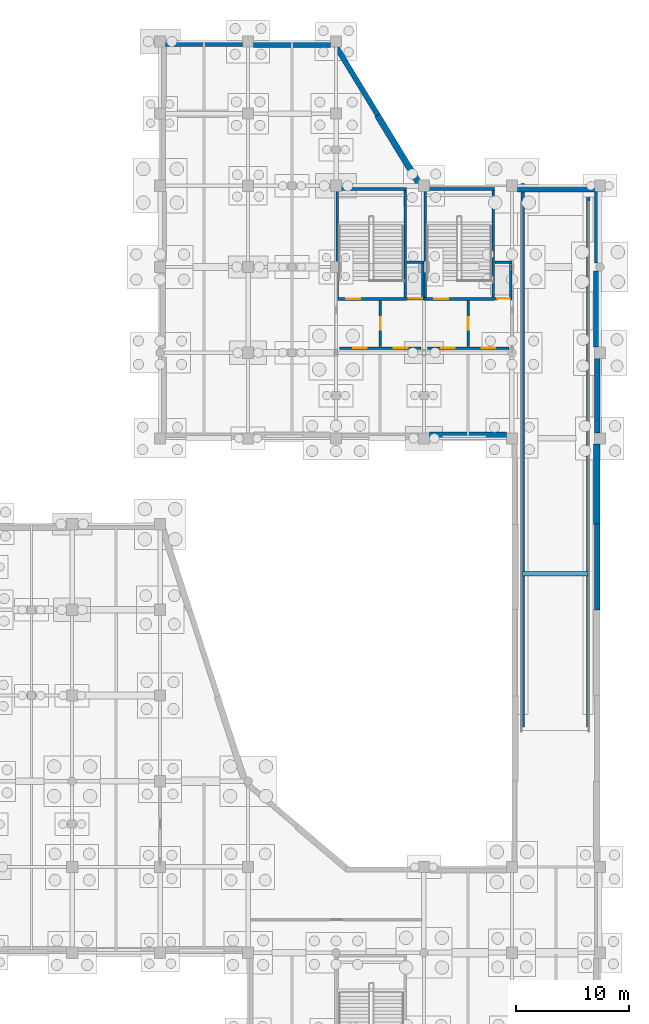
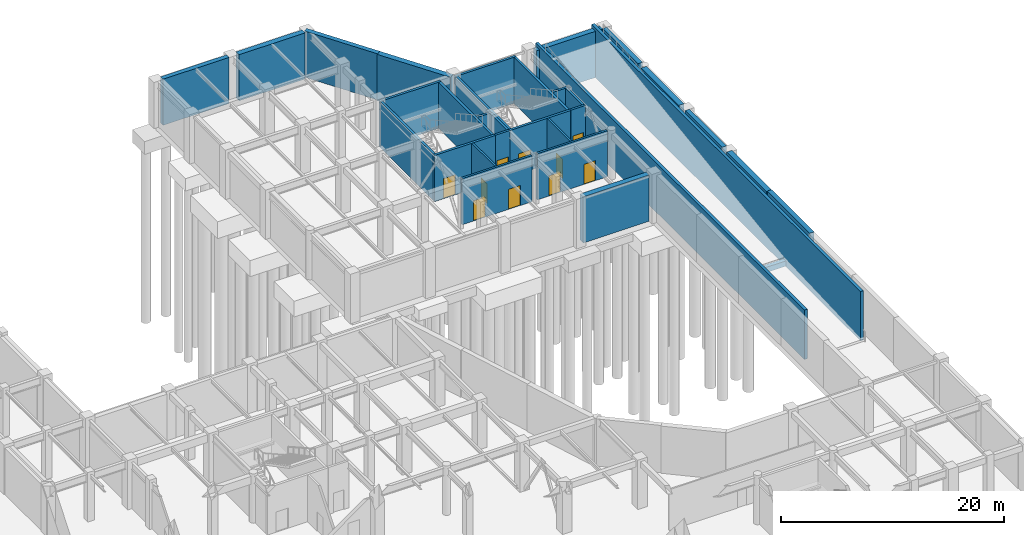
# One storey, part 46 of 52: 32 walls, 10 doors, 10 openings.
"""IFC4 building model written with IfcOpenShell, lengths in metres."""

from ifc_helpers import new_model, si_unit, direction, frame, frame_2d, origin, place, context, subcontext, project, spatial, rectangle, extrude, material, layer, layer_set, type_object, element, fill, save


model = new_model("IFC4")

# Units and contexts
model_context = context("Model", 3, precision=1e-05, world=origin(), true_north=direction((0.0, 1.0)))
body_context = subcontext(model_context, "Body", "Model", "MODEL_VIEW")
ifc_project = project(units=[si_unit("LENGTHUNIT", "METRE"), si_unit("AREAUNIT", "SQUARE_METRE"), si_unit("VOLUMEUNIT", "CUBIC_METRE"), si_unit("PLANEANGLEUNIT", "RADIAN"), si_unit("MASSUNIT", "GRAM", prefix="KILO")], contexts=[model_context])

# Site, building, storey
site_placement = place(None, origin())
site = spatial("IfcSite", under=ifc_project, at=site_placement, CompositionType="ELEMENT")
building_placement = place(site_placement, origin())
building = spatial("IfcBuilding", under=site, at=building_placement, Name="Xicomal Pleat Aquarium", CompositionType="ELEMENT")
storey_placement = place(building_placement, frame((0.0, 0.0, -5.39990234375)))
storey = spatial("IfcBuildingStorey", under=building, at=storey_placement, Name="B1", CompositionType="ELEMENT", Elevation=-5.39990234375)

# Wall, opening, door
ifc_material_1 = material(Name="Concrete C40/50", Category="concrete")
ifc_layer_1 = layer(ifc_material_1, 0.219970703125)
ifc_layer_set_1 = layer_set([ifc_layer_1], Name="Concrete C40/50")
wall_type_1 = type_object("IfcWallType", Name="WAL-COR-220", PredefinedType="SHEAR", material=ifc_layer_set_1)
wall_1_placement = place(storey_placement, frame((147.89990234375, 88.389892578125, 0.0), z_axis=(0.0, 0.0, 1.0), x_axis=(1.0, 0.0, 0.0)))
wall_1 = element("IfcWall", 1, at=wall_1_placement, inside=storey, type_object=wall_type_1, Name="B1 LF-05 lift shaft wall CW-B1-C5-LS", PredefinedType="SHEAR", context=body_context, shape_type="SweptSolid", body=[
    extrude(rectangle(XDim=1.489990234375, YDim=0.219970703125, at=frame_2d((0.7451171875, 0.0))), origin(), (0.0, 0.0, 1.0), 5.0498046875),
])
opening_1_placement = place(wall_1_placement, frame((0.14501953125, 0.0, 0.0)))
opening_1 = element("IfcOpeningElement", 2, at=opening_1_placement, cuts=wall_1, Name="Opening LD-05-B1", PredefinedType="OPENING", context=body_context, shape_type="SweptSolid", body=[
    extrude(rectangle(XDim=1.199951171875, YDim=2.199951171875, at=frame_2d((0.60009765625, 1.10009765625))), frame((0.0, 0.119873046875, 0.0), z_axis=(0.0, -1.0, 0.0), x_axis=(1.0, 0.0, 0.0)), (0.0, 0.0, 1.0), 0.239990234375),
])
ifc_material_2 = material(Name="Brushed stainless steel 304", Category="steel")
door_type_1 = type_object("IfcDoorType", Name="DOR-LD-1200x2200", OperationType="DOUBLE_DOOR_SLIDING", PredefinedType="DOOR", material=ifc_material_2)
door_1_placement = place(opening_1_placement, origin())
door_1 = element("IfcDoor", 3, at=door_1_placement, inside=storey, type_object=door_type_1, Name="B1 LF-05 sliding lift landing door", OperationType="DOUBLE_DOOR_SLIDING", OverallHeight=2.199951171875, OverallWidth=1.199951171875, PredefinedType="DOOR", context=body_context, shape_type="SweptSolid", body=[
    extrude(rectangle(XDim=1.199951171875, YDim=2.199951171875, at=frame_2d((0.60009765625, 1.10009765625))), frame((0.0, 0.02490234375, 0.0), z_axis=(0.0, -1.0, 0.0), x_axis=(1.0, 0.0, 0.0)), (0.0, 0.0, 1.0), 0.050048828125),
])
fill(opening_1, door_1)

# Walls
wall_2_placement = place(storey_placement, frame((147.89990234375, 91.610107421875, 0.0), z_axis=(0.0, 0.0, 1.0), x_axis=(1.0, 0.0, 0.0)))
element("IfcWall", 4, at=wall_2_placement, inside=storey, type_object=wall_type_1, Name="B1 LF-05 lift shaft wall CW-B1-C5-LN", PredefinedType="SHEAR", context=body_context, shape_type="SweptSolid", body=[
    extrude(rectangle(XDim=1.489990234375, YDim=0.219970703125, at=frame_2d((0.7451171875, 0.0))), origin(), (0.0, 0.0, 1.0), 5.0498046875),
])
wall_3_placement = place(storey_placement, frame((149.31005859375, 88.5, 0.0), z_axis=(0.0, 0.0, 1.0), x_axis=(0.0, 1.0, 0.0)))
element("IfcWall", 5, at=wall_3_placement, inside=storey, type_object=wall_type_1, Name="B1 LF-05 lift shaft wall CW-B1-C5-LE", PredefinedType="SHEAR", context=body_context, shape_type="SweptSolid", body=[
    extrude(rectangle(XDim=3.0, YDim=0.219970703125, at=frame_2d((1.5, 0.0))), origin(), (0.0, 0.0, 1.0), 5.0498046875),
])

# Wall, opening, door
wall_4_placement = place(storey_placement, frame((155.699951171875, 88.389892578125, 0.0), z_axis=(0.0, 0.0, 1.0), x_axis=(1.0, 0.0, 0.0)))
wall_4 = element("IfcWall", 6, at=wall_4_placement, inside=storey, type_object=wall_type_1, Name="B1 LF-06 lift shaft wall CW-B1-C6-LS", PredefinedType="SHEAR", context=body_context, shape_type="SweptSolid", body=[
    extrude(rectangle(XDim=1.52001953125, YDim=0.219970703125, at=frame_2d((0.760009765625, 0.0))), origin(), (0.0, 0.0, 1.0), 5.0498046875),
])
opening_2_placement = place(wall_4_placement, frame((0.2099609375, 0.0, 0.0)))
opening_2 = element("IfcOpeningElement", 7, at=opening_2_placement, cuts=wall_4, Name="Opening LD-06-B1", PredefinedType="OPENING", context=body_context, shape_type="SweptSolid", body=[
    extrude(rectangle(XDim=1.10009765625, YDim=2.14990234375, at=frame_2d((0.550048828125, 1.074951171875))), frame((0.0, 0.119873046875, 0.0), z_axis=(0.0, -1.0, 0.0), x_axis=(1.0, 0.0, 0.0)), (0.0, 0.0, 1.0), 0.239990234375),
])
ifc_material_3 = material(Name="Brushed stainless steel 304", Category="steel")
door_type_2 = type_object("IfcDoorType", Name="DOR-LD-1100x2150", OperationType="DOUBLE_DOOR_SLIDING", PredefinedType="DOOR", material=ifc_material_3)
door_2_placement = place(opening_2_placement, origin())
door_2 = element("IfcDoor", 8, at=door_2_placement, inside=storey, type_object=door_type_2, Name="B1 LF-06 sliding lift landing door", OperationType="DOUBLE_DOOR_SLIDING", OverallHeight=2.14990234375, OverallWidth=1.10009765625, PredefinedType="DOOR", context=body_context, shape_type="SweptSolid", body=[
    extrude(rectangle(XDim=1.10009765625, YDim=2.14990234375, at=frame_2d((0.550048828125, 1.074951171875))), frame((0.0, 0.02490234375, 0.0), z_axis=(0.0, -1.0, 0.0), x_axis=(1.0, 0.0, 0.0)), (0.0, 0.0, 1.0), 0.050048828125),
])
fill(opening_2, door_2)

# Walls
wall_5_placement = place(storey_placement, frame((155.699951171875, 91.610107421875, 0.0), z_axis=(0.0, 0.0, 1.0), x_axis=(1.0, 0.0, 0.0)))
element("IfcWall", 9, at=wall_5_placement, inside=storey, type_object=wall_type_1, Name="B1 LF-06 lift shaft wall CW-B1-C6-LN", PredefinedType="SHEAR", context=body_context, shape_type="SweptSolid", body=[
    extrude(rectangle(XDim=1.52001953125, YDim=0.219970703125, at=frame_2d((0.760009765625, 0.0))), origin(), (0.0, 0.0, 1.0), 5.0498046875),
])
wall_6_placement = place(storey_placement, frame((157.110107421875, 88.5, 0.0), z_axis=(0.0, 0.0, 1.0), x_axis=(0.0, 1.0, 0.0)))
element("IfcWall", 10, at=wall_6_placement, inside=storey, type_object=wall_type_1, Name="B1 LF-06 lift shaft wall CW-B1-C6-LE", PredefinedType="SHEAR", context=body_context, shape_type="SweptSolid", body=[
    extrude(rectangle(XDim=3.0, YDim=0.219970703125, at=frame_2d((1.5, 0.0))), origin(), (0.0, 0.0, 1.0), 5.0498046875),
])

# Wall, opening, door
ifc_material_4 = material(Name="Concrete C40/50", Category="concrete")
ifc_layer_2 = layer(ifc_material_4, 0.25)
ifc_layer_set_2 = layer_set([ifc_layer_2], Name="Concrete C40/50")
wall_type_2 = type_object("IfcWallType", Name="WAL-COR-250", PredefinedType="SHEAR", material=ifc_layer_set_2)
wall_7_placement = place(storey_placement, frame((141.590087890625, 88.375, 0.0), z_axis=(0.0, 0.0, 1.0), x_axis=(1.0, 0.0, 0.0)))
wall_7 = element("IfcWall", 11, at=wall_7_placement, inside=storey, type_object=wall_type_2, Name="B1 CORE-5 stair shear wall CW-B1-C5-SS", PredefinedType="SHEAR", context=body_context, shape_type="SweptSolid", body=[
    extrude(rectangle(XDim=6.280029296875, YDim=0.25, at=frame_2d((3.14013671875, 0.0))), origin(), (0.0, 0.0, 1.0), 5.0498046875),
])
opening_3_placement = place(wall_7_placement, frame((0.89990234375, 0.0, 0.0)))
opening_3 = element("IfcOpeningElement", 12, at=opening_3_placement, cuts=wall_7, Name="Opening SD-05-B1", PredefinedType="OPENING", context=body_context, shape_type="SweptSolid", body=[
    extrude(rectangle(XDim=1.25, YDim=2.199951171875, at=frame_2d((0.625, 1.10009765625))), frame((0.0, 0.135009765625, 0.0), z_axis=(0.0, -1.0, 0.0), x_axis=(1.0, 0.0, 0.0)), (0.0, 0.0, 1.0), 0.27001953125),
])
ifc_material_5 = material(Name="Powder-coated steel fire door", Category="steel")
door_type_3 = type_object("IfcDoorType", Name="DOR-ST-1250x2200", OperationType="NOTDEFINED", PredefinedType="DOOR", material=ifc_material_5)
door_3_placement = place(opening_3_placement, origin())
door_3 = element("IfcDoor", 13, at=door_3_placement, inside=storey, type_object=door_type_3, Name="B1 ST-05 protected stair door", OperationType="SINGLE_SWING_LEFT", OverallHeight=2.199951171875, OverallWidth=1.25, PredefinedType="DOOR", context=body_context, shape_type="SweptSolid", body=[
    extrude(rectangle(XDim=1.25, YDim=2.199951171875, at=frame_2d((0.625, 1.10009765625))), frame((0.0, 0.02490234375, 0.0), z_axis=(0.0, -1.0, 0.0), x_axis=(1.0, 0.0, 0.0)), (0.0, 0.0, 1.0), 0.050048828125),
])
fill(opening_3, door_3)

# Walls
wall_8_placement = place(storey_placement, frame((141.590087890625, 98.125, 0.0), z_axis=(0.0, 0.0, 1.0), x_axis=(1.0, 0.0, 0.0)))
element("IfcWall", 14, at=wall_8_placement, inside=storey, type_object=wall_type_2, Name="B1 CORE-5 stair shear wall CW-B1-C5-SN", PredefinedType="SHEAR", context=body_context, shape_type="SweptSolid", body=[
    extrude(rectangle(XDim=6.280029296875, YDim=0.25, at=frame_2d((3.14013671875, 0.0))), origin(), (0.0, 0.0, 1.0), 5.0498046875),
])
for number, where, z_axis, x_axis, name in (
    (15, (141.715087890625, 88.5, 0.0), (0.0, 0.0, 1.0), (0.0, 1.0, 0.0), "B1 CORE-5 stair shear wall CW-B1-C5-SW"),
    (16, (147.7451171875, 88.5, 0.0), (0.0, 0.0, 1.0), (0.0, 1.0, 0.0), "B1 CORE-5 stair shear wall CW-B1-C5-SE"),
):
    element("IfcWall", number, at=place(storey_placement, frame(where, z_axis=z_axis, x_axis=x_axis)), inside=storey, type_object=wall_type_2, Name=name, PredefinedType="SHEAR", context=body_context, shape_type="SweptSolid", body=[
        extrude(rectangle(XDim=9.5, YDim=0.25, at=frame_2d((4.75, 0.0))), origin(), (0.0, 0.0, 1.0), 5.0498046875),
    ])

# Wall, opening, door
wall_9_placement = place(storey_placement, frame((149.389892578125, 88.375, 0.0), z_axis=(0.0, 0.0, 1.0), x_axis=(1.0, 0.0, 0.0)))
wall_9 = element("IfcWall", 17, at=wall_9_placement, inside=storey, type_object=wall_type_2, Name="B1 CORE-6 stair shear wall CW-B1-C6-SS", PredefinedType="SHEAR", context=body_context, shape_type="SweptSolid", body=[
    extrude(rectangle(XDim=6.280029296875, YDim=0.25, at=frame_2d((3.14013671875, 0.0))), origin(), (0.0, 0.0, 1.0), 5.0498046875),
])
opening_4_placement = place(wall_9_placement, frame((0.89990234375, 0.0, 0.0)))
opening_4 = element("IfcOpeningElement", 18, at=opening_4_placement, cuts=wall_9, Name="Opening SD-06-B1", PredefinedType="OPENING", context=body_context, shape_type="SweptSolid", body=[
    extrude(rectangle(XDim=1.25, YDim=2.199951171875, at=frame_2d((0.625, 1.10009765625))), frame((0.0, 0.135009765625, 0.0), z_axis=(0.0, -1.0, 0.0), x_axis=(1.0, 0.0, 0.0)), (0.0, 0.0, 1.0), 0.27001953125),
])
door_4_placement = place(opening_4_placement, origin())
door_4 = element("IfcDoor", 19, at=door_4_placement, inside=storey, type_object=door_type_3, Name="B1 ST-06 protected stair door", OperationType="SINGLE_SWING_LEFT", OverallHeight=2.199951171875, OverallWidth=1.25, PredefinedType="DOOR", context=body_context, shape_type="SweptSolid", body=[
    extrude(rectangle(XDim=1.25, YDim=2.199951171875, at=frame_2d((0.625, 1.10009765625))), frame((0.0, 0.02490234375, 0.0), z_axis=(0.0, -1.0, 0.0), x_axis=(1.0, 0.0, 0.0)), (0.0, 0.0, 1.0), 0.050048828125),
])
fill(opening_4, door_4)

# Walls
wall_10_placement = place(storey_placement, frame((149.389892578125, 98.125, 0.0), z_axis=(0.0, 0.0, 1.0), x_axis=(1.0, 0.0, 0.0)))
element("IfcWall", 20, at=wall_10_placement, inside=storey, type_object=wall_type_2, Name="B1 CORE-6 stair shear wall CW-B1-C6-SN", PredefinedType="SHEAR", context=body_context, shape_type="SweptSolid", body=[
    extrude(rectangle(XDim=6.280029296875, YDim=0.25, at=frame_2d((3.14013671875, 0.0))), origin(), (0.0, 0.0, 1.0), 5.0498046875),
])
for number, where, z_axis, x_axis, name in (
    (21, (149.514892578125, 88.5, 0.0), (0.0, 0.0, 1.0), (0.0, 1.0, 0.0), "B1 CORE-6 stair shear wall CW-B1-C6-SW"),
    (22, (155.544921875, 88.5, 0.0), (0.0, 0.0, 1.0), (0.0, 1.0, 0.0), "B1 CORE-6 stair shear wall CW-B1-C6-SE"),
):
    element("IfcWall", number, at=place(storey_placement, frame(where, z_axis=z_axis, x_axis=x_axis)), inside=storey, type_object=wall_type_2, Name=name, PredefinedType="SHEAR", context=body_context, shape_type="SweptSolid", body=[
        extrude(rectangle(XDim=9.5, YDim=0.25, at=frame_2d((4.75, 0.0))), origin(), (0.0, 0.0, 1.0), 5.0498046875),
    ])

# Wall, opening, door
ifc_material_6 = material(Name="Acoustic double-stud drywall partition", Category="gypsum")
ifc_layer_3 = layer(ifc_material_6, 0.195068359375)
ifc_layer_set_3 = layer_set([ifc_layer_3], Name="Acoustic double-stud drywall partition")
wall_type_3 = type_object("IfcWallType", Name="WAL-PRT-195", PredefinedType="PARTITIONING", material=ifc_layer_set_3)
wall_11_placement = place(storey_placement, frame((145.52490234375, 84.14990234375, 0.0), z_axis=(0.0, 0.0, 1.0), x_axis=(0.0, 1.0, 0.0)))
wall_11 = element("IfcWall", 23, at=wall_11_placement, inside=storey, type_object=wall_type_3, Name="B1 firefighting lobby smoke divider 5", PredefinedType="PARTITIONING", context=body_context, shape_type="SweptSolid", body=[
    extrude(rectangle(XDim=4.10009765625, YDim=0.195068359375, at=frame_2d((2.050048828125, 0.0))), origin(), (0.0, 0.0, 1.0), 5.0498046875),
])
opening_5_placement = place(wall_11_placement, frame((1.5, 0.0, 0.0)))
opening_5 = element("IfcOpeningElement", 24, at=opening_5_placement, cuts=wall_11, Name="Opening FD-05C-B1", PredefinedType="OPENING", context=body_context, shape_type="SweptSolid", body=[
    extrude(rectangle(XDim=1.10009765625, YDim=2.14990234375, at=frame_2d((0.550048828125, 1.074951171875))), frame((0.0, 0.107421875, 0.0), z_axis=(0.0, -1.0, 0.0), x_axis=(1.0, 0.0, 0.0)), (0.0, 0.0, 1.0), 0.215087890625),
])
ifc_material_7 = material(Name="Powder-coated steel fire door", Category="steel")
door_type_4 = type_object("IfcDoorType", Name="DOR-LAB-1100x2150", OperationType="NOTDEFINED", PredefinedType="DOOR", material=ifc_material_7)
door_5_placement = place(opening_5_placement, origin())
door_5 = element("IfcDoor", 25, at=door_5_placement, inside=storey, type_object=door_type_4, Name="B1 lobby interconnecting fire door 5C", OperationType="SINGLE_SWING_LEFT", OverallHeight=2.14990234375, OverallWidth=1.10009765625, PredefinedType="DOOR", context=body_context, shape_type="SweptSolid", body=[
    extrude(rectangle(XDim=1.10009765625, YDim=2.14990234375, at=frame_2d((0.550048828125, 1.074951171875))), frame((0.0, 0.02490234375, 0.0), z_axis=(0.0, -1.0, 0.0), x_axis=(1.0, 0.0, 0.0)), (0.0, 0.0, 1.0), 0.050048828125),
])
fill(opening_5, door_5)

wall_12_placement = place(storey_placement, frame((153.324951171875, 84.14990234375, 0.0), z_axis=(0.0, 0.0, 1.0), x_axis=(0.0, 1.0, 0.0)))
wall_12 = element("IfcWall", 26, at=wall_12_placement, inside=storey, type_object=wall_type_3, Name="B1 firefighting lobby smoke divider 6", PredefinedType="PARTITIONING", context=body_context, shape_type="SweptSolid", body=[
    extrude(rectangle(XDim=4.10009765625, YDim=0.195068359375, at=frame_2d((2.050048828125, 0.0))), origin(), (0.0, 0.0, 1.0), 5.0498046875),
])
opening_6_placement = place(wall_12_placement, frame((1.5, 0.0, 0.0)))
opening_6 = element("IfcOpeningElement", 27, at=opening_6_placement, cuts=wall_12, Name="Opening FD-06C-B1", PredefinedType="OPENING", context=body_context, shape_type="SweptSolid", body=[
    extrude(rectangle(XDim=1.10009765625, YDim=2.14990234375, at=frame_2d((0.550048828125, 1.074951171875))), frame((0.0, 0.107421875, 0.0), z_axis=(0.0, -1.0, 0.0), x_axis=(1.0, 0.0, 0.0)), (0.0, 0.0, 1.0), 0.215087890625),
])
door_6_placement = place(opening_6_placement, origin())
door_6 = element("IfcDoor", 28, at=door_6_placement, inside=storey, type_object=door_type_4, Name="B1 lobby interconnecting fire door 6C", OperationType="SINGLE_SWING_LEFT", OverallHeight=2.14990234375, OverallWidth=1.10009765625, PredefinedType="DOOR", context=body_context, shape_type="SweptSolid", body=[
    extrude(rectangle(XDim=1.10009765625, YDim=2.14990234375, at=frame_2d((0.550048828125, 1.074951171875))), frame((0.0, 0.02490234375, 0.0), z_axis=(0.0, -1.0, 0.0), x_axis=(1.0, 0.0, 0.0)), (0.0, 0.0, 1.0), 0.050048828125),
])
fill(opening_6, door_6)

# Wall, openings, doors
ifc_material_8 = material(Name="Fire-rated gypsum and mineral-wool partition", Category="gypsum")
ifc_layer_4 = layer(ifc_material_8, 0.2099609375)
ifc_layer_set_4 = layer_set([ifc_layer_4], Name="Fire-rated gypsum and mineral-wool partition")
wall_type_4 = type_object("IfcWallType", Name="WAL-PRT-210", PredefinedType="PARTITIONING", material=ifc_layer_set_4)
wall_13_placement = place(storey_placement, frame((141.89990234375, 84.0, 0.0), z_axis=(0.0, 0.0, 1.0), x_axis=(1.0, 0.0, 0.0)))
wall_13 = element("IfcWall", 29, at=wall_13_placement, inside=storey, type_object=wall_type_4, Name="B1 CORE-5 lobby fire enclosure wall", PredefinedType="PARTITIONING", context=body_context, shape_type="SweptSolid", body=[
    extrude(rectangle(XDim=7.25, YDim=0.2099609375, at=frame_2d((3.625, 0.0))), origin(), (0.0, 0.0, 1.0), 5.0498046875),
])
opening_7_placement = place(wall_13_placement, frame((1.2119140625, 0.0, 0.0)))
opening_7 = element("IfcOpeningElement", 30, at=opening_7_placement, cuts=wall_13, Name="Opening FD-05A-B1", PredefinedType="OPENING", context=body_context, shape_type="SweptSolid", body=[
    extrude(rectangle(XDim=1.199951171875, YDim=2.199951171875, at=frame_2d((0.60009765625, 1.10009765625))), frame((0.0, 0.114990234375, 0.0), z_axis=(0.0, -1.0, 0.0), x_axis=(1.0, 0.0, 0.0)), (0.0, 0.0, 1.0), 0.22998046875),
])
opening_8_placement = place(wall_13_placement, frame((4.837890625, 0.0, 0.0)))
opening_8 = element("IfcOpeningElement", 31, at=opening_8_placement, cuts=wall_13, Name="Opening FD-05B-B1", PredefinedType="OPENING", context=body_context, shape_type="SweptSolid", body=[
    extrude(rectangle(XDim=1.199951171875, YDim=2.199951171875, at=frame_2d((0.60009765625, 1.10009765625))), frame((0.0, 0.114990234375, 0.0), z_axis=(0.0, -1.0, 0.0), x_axis=(1.0, 0.0, 0.0)), (0.0, 0.0, 1.0), 0.22998046875),
])
ifc_material_9 = material(Name="Powder-coated steel fire door", Category="steel")
door_type_5 = type_object("IfcDoorType", Name="DOR-FFL-1200x2200", OperationType="NOTDEFINED", PredefinedType="DOOR", material=ifc_material_9)
door_7_placement = place(opening_7_placement, origin())
door_7 = element("IfcDoor", 32, at=door_7_placement, inside=storey, type_object=door_type_5, Name="B1 firefighting lobby door 5A", OperationType="SINGLE_SWING_LEFT", OverallHeight=2.199951171875, OverallWidth=1.199951171875, PredefinedType="DOOR", context=body_context, shape_type="SweptSolid", body=[
    extrude(rectangle(XDim=1.199951171875, YDim=2.199951171875, at=frame_2d((0.60009765625, 1.10009765625))), frame((0.0, 0.02490234375, 0.0), z_axis=(0.0, -1.0, 0.0), x_axis=(1.0, 0.0, 0.0)), (0.0, 0.0, 1.0), 0.050048828125),
])
fill(opening_7, door_7)
door_8_placement = place(opening_8_placement, origin())
door_8 = element("IfcDoor", 33, at=door_8_placement, inside=storey, type_object=door_type_5, Name="B1 lift lobby door 5B", OperationType="SINGLE_SWING_RIGHT", OverallHeight=2.199951171875, OverallWidth=1.199951171875, PredefinedType="DOOR", context=body_context, shape_type="SweptSolid", body=[
    extrude(rectangle(XDim=1.199951171875, YDim=2.199951171875, at=frame_2d((0.60009765625, 1.10009765625))), frame((0.0, 0.02490234375, 0.0), z_axis=(0.0, -1.0, 0.0), x_axis=(1.0, 0.0, 0.0)), (0.0, 0.0, 1.0), 0.050048828125),
])
fill(opening_8, door_8)

wall_14_placement = place(storey_placement, frame((149.699951171875, 84.0, 0.0), z_axis=(0.0, 0.0, 1.0), x_axis=(1.0, 0.0, 0.0)))
wall_14 = element("IfcWall", 34, at=wall_14_placement, inside=storey, type_object=wall_type_4, Name="B1 CORE-6 lobby fire enclosure wall", PredefinedType="PARTITIONING", context=body_context, shape_type="SweptSolid", body=[
    extrude(rectangle(XDim=7.25, YDim=0.2099609375, at=frame_2d((3.625, 0.0))), origin(), (0.0, 0.0, 1.0), 5.0498046875),
])
opening_9_placement = place(wall_14_placement, frame((1.2119140625, 0.0, 0.0)))
opening_9 = element("IfcOpeningElement", 35, at=opening_9_placement, cuts=wall_14, Name="Opening FD-06A-B1", PredefinedType="OPENING", context=body_context, shape_type="SweptSolid", body=[
    extrude(rectangle(XDim=1.199951171875, YDim=2.199951171875, at=frame_2d((0.60009765625, 1.10009765625))), frame((0.0, 0.114990234375, 0.0), z_axis=(0.0, -1.0, 0.0), x_axis=(1.0, 0.0, 0.0)), (0.0, 0.0, 1.0), 0.22998046875),
])
opening_10_placement = place(wall_14_placement, frame((4.837890625, 0.0, 0.0)))
opening_10 = element("IfcOpeningElement", 36, at=opening_10_placement, cuts=wall_14, Name="Opening FD-06B-B1", PredefinedType="OPENING", context=body_context, shape_type="SweptSolid", body=[
    extrude(rectangle(XDim=1.199951171875, YDim=2.199951171875, at=frame_2d((0.60009765625, 1.10009765625))), frame((0.0, 0.114990234375, 0.0), z_axis=(0.0, -1.0, 0.0), x_axis=(1.0, 0.0, 0.0)), (0.0, 0.0, 1.0), 0.22998046875),
])
door_9_placement = place(opening_9_placement, origin())
door_9 = element("IfcDoor", 37, at=door_9_placement, inside=storey, type_object=door_type_5, Name="B1 firefighting lobby door 6A", OperationType="SINGLE_SWING_LEFT", OverallHeight=2.199951171875, OverallWidth=1.199951171875, PredefinedType="DOOR", context=body_context, shape_type="SweptSolid", body=[
    extrude(rectangle(XDim=1.199951171875, YDim=2.199951171875, at=frame_2d((0.60009765625, 1.10009765625))), frame((0.0, 0.02490234375, 0.0), z_axis=(0.0, -1.0, 0.0), x_axis=(1.0, 0.0, 0.0)), (0.0, 0.0, 1.0), 0.050048828125),
])
fill(opening_9, door_9)
door_10_placement = place(opening_10_placement, origin())
door_10 = element("IfcDoor", 38, at=door_10_placement, inside=storey, type_object=door_type_5, Name="B1 lift lobby door 6B", OperationType="SINGLE_SWING_RIGHT", OverallHeight=2.199951171875, OverallWidth=1.199951171875, PredefinedType="DOOR", context=body_context, shape_type="SweptSolid", body=[
    extrude(rectangle(XDim=1.199951171875, YDim=2.199951171875, at=frame_2d((0.60009765625, 1.10009765625))), frame((0.0, 0.02490234375, 0.0), z_axis=(0.0, -1.0, 0.0), x_axis=(1.0, 0.0, 0.0)), (0.0, 0.0, 1.0), 0.050048828125),
])
fill(opening_10, door_10)

# Walls
ifc_material_10 = material(Name="Waterproof concrete C40/50", Category="concrete")
ifc_layer_5 = layer(ifc_material_10, 0.4599609375)
ifc_layer_set_5 = layer_set([ifc_layer_5], Name="Waterproof concrete C40/50")
wall_type_5 = type_object("IfcWallType", Name="WAL-RET-460", PredefinedType="USERDEFINED", material=ifc_layer_set_5)
wall_15_placement = place(storey_placement, frame((126.485107421875, 110.969970703125, 0.0), z_axis=(0.0, 0.0, 1.0), x_axis=(1.0, 0.0, 0.0)))
element("IfcWall", 39, at=wall_15_placement, inside=storey, type_object=wall_type_5, Name="Basement waterproof retaining wall RW-B1-019", ObjectType="RETAINING WALL", PredefinedType="USERDEFINED", context=body_context, shape_type="SweptSolid", body=[
    extrude(rectangle(XDim=6.829833984375, YDim=0.4599609375, at=frame_2d((3.4150390625, 0.0))), origin(), (0.0, 0.0, 1.0), 5.0498046875),
])
wall_16_placement = place(storey_placement, frame((141.404052734375, 111.080078125, 0.0), z_axis=(0.0, 0.0, 1.0), x_axis=(0.520351985805, -0.853951878544, 0.0)))
element("IfcWall", 40, at=wall_16_placement, inside=storey, type_object=wall_type_5, Name="Basement waterproof retaining wall RW-B1-021", ObjectType="RETAINING WALL", PredefinedType="USERDEFINED", context=body_context, shape_type="SweptSolid", body=[
    extrude(rectangle(XDim=7.49462890625, YDim=0.4599609375, at=frame_2d((3.747314453125, 0.0))), origin(), (0.0, 0.0, 1.0), 5.0498046875),
])
wall_17_placement = place(storey_placement, frame((164.77001953125, 97.9150390625, 0.0), z_axis=(0.0, 0.0, 1.0), x_axis=(0.0, -1.0, 0.0)))
element("IfcWall", 41, at=wall_17_placement, inside=storey, type_object=wall_type_5, Name="Basement waterproof retaining wall RW-B1-025", ObjectType="RETAINING WALL", PredefinedType="USERDEFINED", context=body_context, shape_type="SweptSolid", body=[
    extrude(rectangle(XDim=6.35498046875, YDim=0.4599609375, at=frame_2d((3.177490234375, 0.0))), origin(), (0.0, 0.0, 1.0), 5.0498046875),
])
wall_18_placement = place(storey_placement, frame((164.77001953125, 83.114990234375, 0.0), z_axis=(0.0, 0.0, 1.0), x_axis=(0.0, -1.0, 0.0)))
element("IfcWall", 42, at=wall_18_placement, inside=storey, type_object=wall_type_5, Name="Basement waterproof retaining wall RW-B1-027", ObjectType="RETAINING WALL", PredefinedType="USERDEFINED", context=body_context, shape_type="SweptSolid", body=[
    extrude(rectangle(XDim=6.6298828125, YDim=0.4599609375, at=frame_2d((3.31494140625, 0.0))), origin(), (0.0, 0.0, 1.0), 5.0498046875),
])
wall_19_placement = place(storey_placement, frame((164.77001953125, 68.419921875, 0.0), z_axis=(0.0, 0.0, 1.0), x_axis=(0.0, -1.0, 0.0)))
element("IfcWall", 43, at=wall_19_placement, inside=storey, type_object=wall_type_5, Name="Basement waterproof retaining wall RW-B1-029", ObjectType="RETAINING WALL", PredefinedType="USERDEFINED", context=body_context, shape_type="SweptSolid", body=[
    extrude(rectangle(XDim=7.639892578125, YDim=0.4599609375, at=frame_2d((3.81982421875, 0.0))), origin(), (0.0, 0.0, 1.0), 5.159912109375),
])
ifc_material_11 = material(Name="Waterproof concrete C40/50", Category="concrete")
ifc_layer_6 = layer(ifc_material_11, 0.550048828125)
ifc_layer_set_6 = layer_set([ifc_layer_6], Name="Waterproof concrete C40/50")
wall_type_6 = type_object("IfcWallType", Name="WAL-RET-550", PredefinedType="USERDEFINED", material=ifc_layer_set_6)
for number, where, z_axis, x_axis, name in (
    (44, (156.715087890625, 76.27490234375, 0.0), (0.0, 0.0, 1.0), (-1.0, 0.0, 0.0), "Basement waterproof retaining wall RW-B1-010"),
    (45, (134.284912109375, 110.925048828125, 0.0), (0.0, 0.0, 1.0), (1.0, 0.0, 0.0), "Basement waterproof retaining wall RW-B1-020"),
):
    element("IfcWall", number, at=place(storey_placement, frame(where, z_axis=z_axis, x_axis=x_axis)), inside=storey, type_object=wall_type_6, Name=name, ObjectType="RETAINING WALL", PredefinedType="USERDEFINED", context=body_context, shape_type="SweptSolid", body=[
        extrude(rectangle(XDim=6.830078125, YDim=0.550048828125, at=frame_2d((3.4150390625, 0.0))), origin(), (0.0, 0.0, 1.0), 5.0498046875),
    ])
wall_20_placement = place(storey_placement, frame((145.264892578125, 104.656982421875, 0.0), z_axis=(0.0, 0.0, 1.0), x_axis=(0.520390215294, -0.853928582392, 0.0)))
element("IfcWall", 46, at=wall_20_placement, inside=storey, type_object=wall_type_6, Name="Basement waterproof retaining wall RW-B1-022", ObjectType="RETAINING WALL", PredefinedType="USERDEFINED", context=body_context, shape_type="SweptSolid", body=[
    extrude(rectangle(XDim=7.49462890625, YDim=0.550048828125, at=frame_2d((3.747314453125, 0.0))), origin(), (0.0, 0.0, 1.0), 5.0498046875),
])
wall_21_placement = place(storey_placement, frame((157.68505859375, 98.125, 0.0), z_axis=(0.0, 0.0, 1.0), x_axis=(1.0, 0.0, 0.0)))
element("IfcWall", 47, at=wall_21_placement, inside=storey, type_object=wall_type_6, Name="Basement waterproof retaining wall RW-B1-024", ObjectType="RETAINING WALL", PredefinedType="USERDEFINED", context=body_context, shape_type="SweptSolid", body=[
    extrude(rectangle(XDim=6.829833984375, YDim=0.550048828125, at=frame_2d((3.4150390625, 0.0))), origin(), (0.0, 0.0, 1.0), 5.0498046875),
])
wall_22_placement = place(storey_placement, frame((164.72509765625, 90.840087890625, 0.0), z_axis=(0.0, 0.0, 1.0), x_axis=(0.0, -1.0, 0.0)))
element("IfcWall", 48, at=wall_22_placement, inside=storey, type_object=wall_type_6, Name="Basement waterproof retaining wall RW-B1-026", ObjectType="RETAINING WALL", PredefinedType="USERDEFINED", context=body_context, shape_type="SweptSolid", body=[
    extrude(rectangle(XDim=6.755126953125, YDim=0.550048828125, at=frame_2d((3.37744140625, 0.0))), origin(), (0.0, 0.0, 1.0), 5.0498046875),
])
wall_23_placement = place(storey_placement, frame((164.72509765625, 75.514892578125, 0.0), z_axis=(0.0, 0.0, 1.0), x_axis=(0.0, -1.0, 0.0)))
element("IfcWall", 49, at=wall_23_placement, inside=storey, type_object=wall_type_6, Name="Basement waterproof retaining wall RW-B1-028", ObjectType="RETAINING WALL", PredefinedType="USERDEFINED", context=body_context, shape_type="SweptSolid", body=[
    extrude(rectangle(XDim=7.135009765625, YDim=0.550048828125, at=frame_2d((3.5673828125, 0.0))), origin(), (0.0, 0.0, 1.0), 5.159912109375),
])
ifc_material_12 = material(Name="Concrete C45/55", Category="concrete")
ifc_layer_7 = layer(ifc_material_12, 0.85009765625)
ifc_layer_set_7 = layer_set([ifc_layer_7], Name="Concrete C45/55")
wall_type_7 = type_object("IfcWallType", Name="WAL-TANK-850", PredefinedType="SHEAR", material=ifc_layer_set_7)
for number, where, z_axis, x_axis, name in (
    (50, (158.14990234375, 50.39990234375, -0.050048828125), (0.0, 0.0, 1.0), (0.0, 1.0, 0.0), "Vehicle ramp support wall W"),
    (51, (163.949951171875, 50.39990234375, -0.050048828125), (0.0, 0.0, 1.0), (0.0, 1.0, 0.0), "Vehicle ramp support wall E"),
):
    element("IfcWall", number, at=place(storey_placement, frame(where, z_axis=z_axis, x_axis=x_axis)), inside=storey, type_object=wall_type_7, Name=name, PredefinedType="SHEAR", context=body_context, shape_type="SweptSolid", body=[
        extrude(rectangle(XDim=48.2001953125, YDim=0.300048828125, at=frame_2d((24.10009765625, 0.0))), origin(), (0.0, 0.0, 1.0), 5.39990234375),
    ])
wall_24_placement = place(storey_placement, frame((158.14990234375, 64.0, 0.0), z_axis=(0.0, 0.0, 1.0), x_axis=(1.0, 0.0, 0.0)))
element("IfcWall", 52, at=wall_24_placement, inside=storey, type_object=wall_type_7, Name="Vehicle ramp intermediate pier wall", PredefinedType="SHEAR", context=body_context, shape_type="SweptSolid", body=[
    extrude(rectangle(XDim=5.800048828125, YDim=0.39990234375, at=frame_2d((2.89990234375, 0.0))), origin(), (0.0, 0.0, 1.0), 0.574951171875),
])

save(model, "model.ifc")
